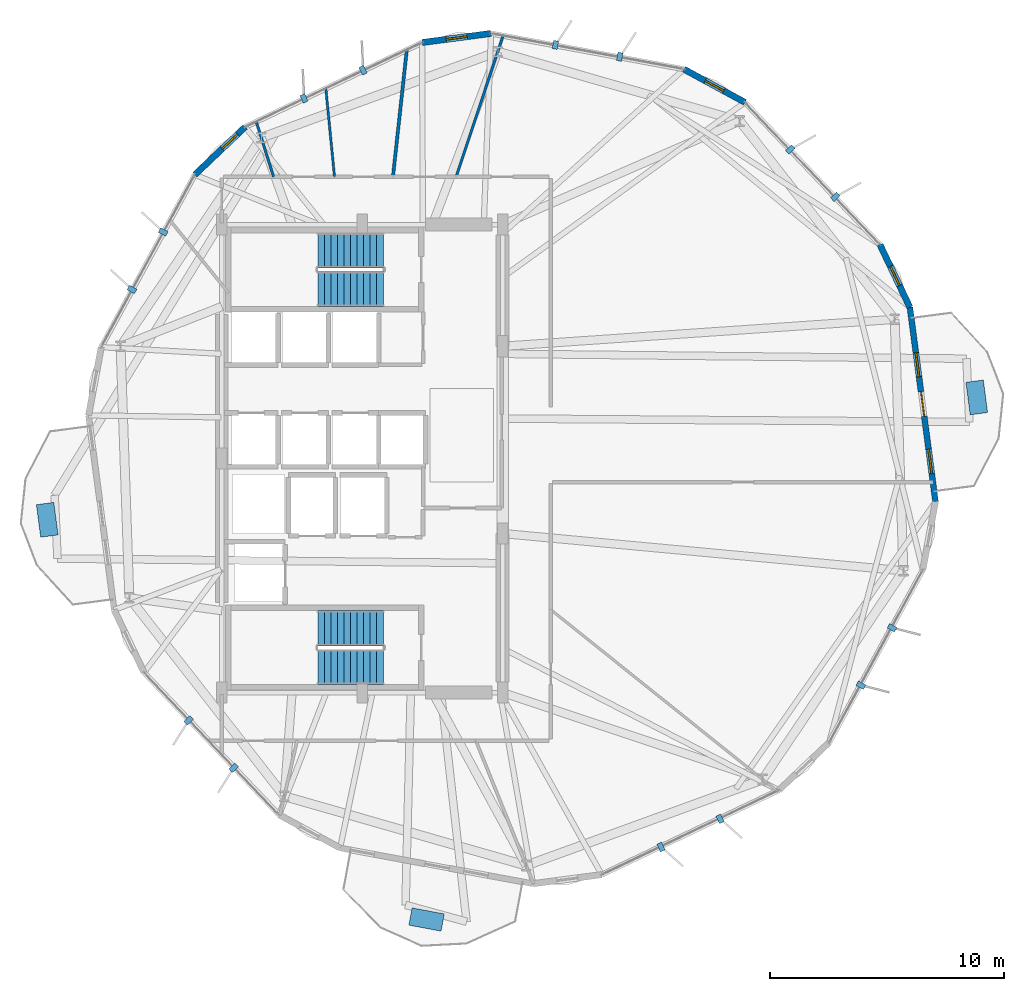
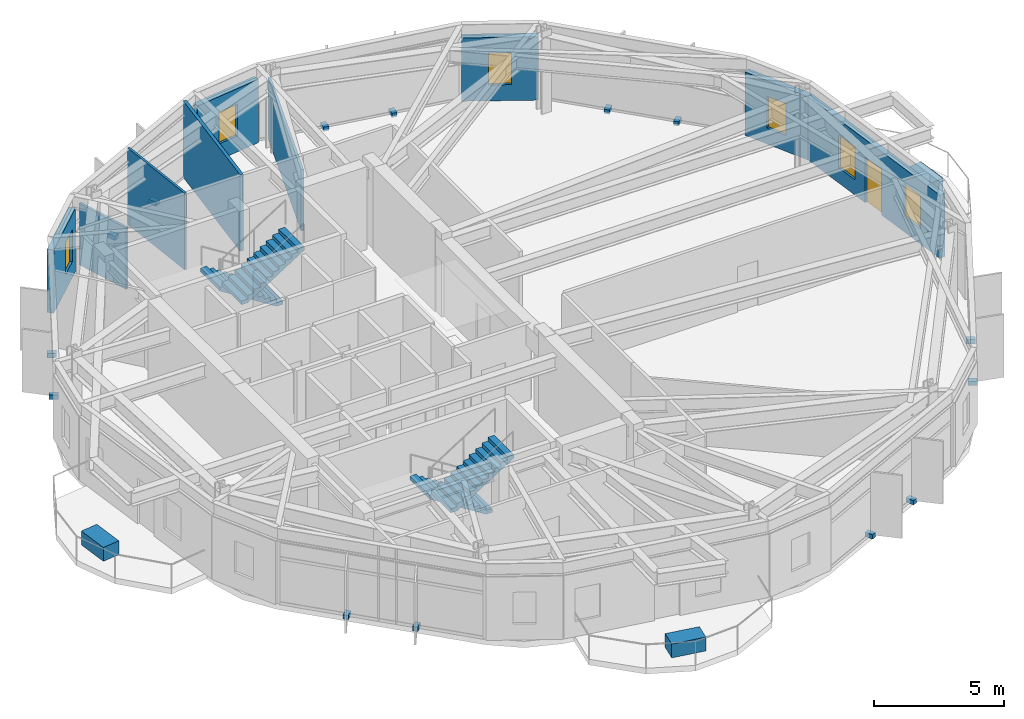
# One storey, part 22 of 25: 17 discrete accessories, 9 walls, 6 windows, 4 stair flights, 1 door, 7 openings, 2 elements without a shape of their own.
"""IFC4 building model written with IfcOpenShell, lengths in metres."""

from ifc_helpers import new_model, si_unit, direction, frame, frame_2d, origin, origin_2d, place, context, subcontext, project, spatial, polyline, rectangle, outline, extrude, material, layer, layer_set, type_object, element, fill, aggregate, save


model = new_model("IFC4")

# Units and contexts
model_context = context("Model", 3, precision=1e-05, world=origin(), true_north=direction((0.0, 1.0)))
body_context = subcontext(model_context, "Body", "Model", "MODEL_VIEW")
ifc_project = project(units=[si_unit("LENGTHUNIT", "METRE"), si_unit("AREAUNIT", "SQUARE_METRE"), si_unit("VOLUMEUNIT", "CUBIC_METRE"), si_unit("PLANEANGLEUNIT", "RADIAN"), si_unit("MASSUNIT", "GRAM", prefix="KILO")], contexts=[model_context])

# Site, building, storey
site_placement = place(None, origin())
site = spatial("IfcSite", under=ifc_project, at=site_placement, CompositionType="ELEMENT")
building_placement = place(site_placement, origin())
building = spatial("IfcBuilding", under=site, at=building_placement, Name="Soratama Intermodal Tower", CompositionType="ELEMENT")
storey_placement = place(building_placement, frame((0.0, 0.0, 126.39990234375)))
storey = spatial("IfcBuildingStorey", under=building, at=storey_placement, Name="L30", CompositionType="ELEMENT", Elevation=126.39990234375)

# Wall, openings, door, windows
ifc_material_1 = material(Name="Concrete f'c 42 MPa", Category="concrete")
ifc_layer_1 = layer(ifc_material_1, 0.25)
ifc_layer_set_1 = layer_set([ifc_layer_1], Name="Concrete f'c 42 MPa")
wall_type_1 = type_object("IfcWallType", Name="EW-BAL-250", PredefinedType="SOLIDWALL", material=ifc_layer_set_1)
wall_1_placement = place(storey_placement, frame((63.0966796875, 23.154541015625, 0.0), z_axis=(0.0, 0.0, 1.0), x_axis=(-0.130551689343, 0.99144150428, 0.0)))
wall_1 = element("IfcWall", 1, at=wall_1_placement, inside=storey, type_object=wall_type_1, Name="L30 Terrace Wall F10", PredefinedType="SOLIDWALL", context=body_context, shape_type="SweptSolid", body=[
    extrude(rectangle(XDim=8.383544921875, YDim=0.25, at=frame_2d((4.19189453125, 0.0))), origin(), (0.0, 0.0, 1.0), 2.97900390625),
])
opening_1_placement = place(wall_1_placement, frame((3.69189453125, 0.0, 0.0)))
opening_1 = element("IfcOpeningElement", 2, at=opening_1_placement, cuts=wall_1, Name="Opening ED-5", PredefinedType="OPENING", context=body_context, shape_type="SweptSolid", body=[
    extrude(rectangle(XDim=1.050048828125, YDim=2.14990234375, at=frame_2d((0.52490234375, 1.074951171875))), frame((0.0, 0.135009765625, 0.0), z_axis=(0.0, -1.0, 0.0), x_axis=(1.0, 0.0, 0.0)), (0.0, 0.0, 1.0), 0.27001953125),
])
opening_2_placement = place(wall_1_placement, frame((1.220947265625, 0.0, 0.719970703125)))
opening_2 = element("IfcOpeningElement", 3, at=opening_2_placement, cuts=wall_1, Name="Opening WN-5", PredefinedType="OPENING", context=body_context, shape_type="SweptSolid", body=[
    extrude(rectangle(XDim=1.050048828125, YDim=1.550048828125, at=frame_2d((0.52490234375, 0.77490234375))), frame((0.0, 0.135009765625, 0.0), z_axis=(0.0, -1.0, 0.0), x_axis=(1.0, 0.0, 0.0)), (0.0, 0.0, 1.0), 0.27001953125),
])
opening_3_placement = place(wall_1_placement, frame((5.3818359375, 0.0, 0.719970703125)))
opening_3 = element("IfcOpeningElement", 4, at=opening_3_placement, cuts=wall_1, Name="Opening WN-5", PredefinedType="OPENING", context=body_context, shape_type="SweptSolid", body=[
    extrude(rectangle(XDim=1.050048828125, YDim=1.550048828125, at=frame_2d((0.52490234375, 0.77490234375))), frame((0.0, 0.135009765625, 0.0), z_axis=(0.0, -1.0, 0.0), x_axis=(1.0, 0.0, 0.0)), (0.0, 0.0, 1.0), 0.27001953125),
])
ifc_material_2 = material(Name="Double-glazed aluminium door", Category="aluminium")
door_type = type_object("IfcDoorType", Name="DR-BAL-1050", OperationType="NOTDEFINED", PredefinedType="DOOR", material=ifc_material_2)
door_placement = place(opening_1_placement, origin())
door = element("IfcDoor", 5, at=door_placement, inside=storey, type_object=door_type, Name="L30 Balcony Door F10", OperationType="SINGLE_SWING_RIGHT", OverallHeight=2.14990234375, OverallWidth=1.050048828125, PredefinedType="DOOR", context=body_context, shape_type="SweptSolid", body=[
    extrude(rectangle(XDim=1.050048828125, YDim=2.14990234375, at=frame_2d((0.52490234375, 1.074951171875))), frame((0.0, 0.02490234375, 0.0), z_axis=(0.0, -1.0, 0.0), x_axis=(1.0, 0.0, 0.0)), (0.0, 0.0, 1.0), 0.050048828125),
])
fill(opening_1, door)
ifc_material_3 = material(Name="Double-glazed aluminium window", Category="aluminium")
window_type_1 = type_object("IfcWindowType", Name="WN-FAC-1050", PartitioningType="SINGLE_PANEL", PredefinedType="WINDOW", material=ifc_material_3)
window_1_placement = place(opening_2_placement, origin())
window_1 = element("IfcWindow", 6, at=window_1_placement, inside=storey, type_object=window_type_1, Name="L30 Window A F10", OverallHeight=1.550048828125, OverallWidth=1.050048828125, PartitioningType="SINGLE_PANEL", PredefinedType="WINDOW", context=body_context, shape_type="SweptSolid", body=[
    extrude(rectangle(XDim=1.050048828125, YDim=1.550048828125, at=frame_2d((0.52490234375, 0.77490234375))), frame((0.0, 0.030029296875, 0.0), z_axis=(0.0, -1.0, 0.0), x_axis=(1.0, 0.0, 0.0)), (0.0, 0.0, 1.0), 0.06005859375),
])
fill(opening_2, window_1)
window_2_placement = place(opening_3_placement, origin())
window_2 = element("IfcWindow", 7, at=window_2_placement, inside=storey, type_object=window_type_1, Name="L30 Window B F10", OverallHeight=1.550048828125, OverallWidth=1.050048828125, PartitioningType="SINGLE_PANEL", PredefinedType="WINDOW", context=body_context, shape_type="SweptSolid", body=[
    extrude(rectangle(XDim=1.050048828125, YDim=1.550048828125, at=frame_2d((0.52490234375, 0.77490234375))), frame((0.0, 0.030029296875, 0.0), z_axis=(0.0, -1.0, 0.0), x_axis=(1.0, 0.0, 0.0)), (0.0, 0.0, 1.0), 0.06005859375),
])
fill(opening_3, window_2)

# Wall, opening, window
ifc_material_4 = material(Name="Concrete f'c 42 MPa", Category="concrete")
ifc_layer_2 = layer(ifc_material_4, 0.27001953125)
ifc_layer_set_2 = layer_set([ifc_layer_2], Name="Concrete f'c 42 MPa")
wall_type_2 = type_object("IfcWallType", Name="EW-CRN-270", PredefinedType="SOLIDWALL", material=ifc_layer_set_2)
wall_2_placement = place(storey_placement, frame((54.954345703125, 40.22509765625, 0.0), z_axis=(0.0, 0.0, 1.0), x_axis=(-0.878806101886, 0.477179039028, 0.0)))
wall_2 = element("IfcWall", 8, at=wall_2_placement, inside=storey, type_object=wall_type_2, Name="L30 Corner Closure Wall 01", PredefinedType="SOLIDWALL", context=body_context, shape_type="SweptSolid", body=[
    extrude(rectangle(XDim=2.966552734375, YDim=0.27001953125, at=frame_2d((1.4833984375, 0.0))), origin(), (0.0, 0.0, 1.0), 2.97900390625),
])
opening_4_placement = place(wall_2_placement, frame((1.033203125, 0.0, 0.75)))
opening_4 = element("IfcOpeningElement", 9, at=opening_4_placement, cuts=wall_2, Name="Opening WN-6", PredefinedType="OPENING", context=body_context, shape_type="SweptSolid", body=[
    extrude(rectangle(XDim=0.89990234375, YDim=1.5, at=frame_2d((0.449951171875, 0.75))), frame((0.0, 0.14501953125, 0.0), z_axis=(0.0, -1.0, 0.0), x_axis=(1.0, 0.0, 0.0)), (0.0, 0.0, 1.0), 0.2900390625),
])
ifc_material_5 = material(Name="Double-glazed aluminium window", Category="aluminium")
window_type_2 = type_object("IfcWindowType", Name="WN-FAC-900", PartitioningType="SINGLE_PANEL", PredefinedType="WINDOW", material=ifc_material_5)
window_3_placement = place(opening_4_placement, origin())
window_3 = element("IfcWindow", 10, at=window_3_placement, inside=storey, type_object=window_type_2, Name="L30 Corner Window 01", OverallHeight=1.5, OverallWidth=0.89990234375, PartitioningType="SINGLE_PANEL", PredefinedType="WINDOW", context=body_context, shape_type="SweptSolid", body=[
    extrude(rectangle(XDim=0.89990234375, YDim=1.5, at=frame_2d((0.449951171875, 0.75))), frame((0.0, 0.030029296875, 0.0), z_axis=(0.0, -1.0, 0.0), x_axis=(1.0, 0.0, 0.0)), (0.0, 0.0, 1.0), 0.06005859375),
])
fill(opening_4, window_3)

wall_3_placement = place(storey_placement, frame((44.104248046875, 43.16845703125, 0.0), z_axis=(0.0, 0.0, 1.0), x_axis=(-0.991434395997, -0.130605660036, 0.0)))
wall_3 = element("IfcWall", 11, at=wall_3_placement, inside=storey, type_object=wall_type_2, Name="L30 Corner Closure Wall 02", PredefinedType="SOLIDWALL", context=body_context, shape_type="SweptSolid", body=[
    extrude(rectangle(XDim=2.966552734375, YDim=0.27001953125, at=frame_2d((1.4833984375, 0.0))), origin(), (0.0, 0.0, 1.0), 2.97900390625),
])
opening_5_placement = place(wall_3_placement, frame((1.033203125, 0.0, 0.75)))
opening_5 = element("IfcOpeningElement", 12, at=opening_5_placement, cuts=wall_3, Name="Opening WN-6", PredefinedType="OPENING", context=body_context, shape_type="SweptSolid", body=[
    extrude(rectangle(XDim=0.89990234375, YDim=1.5, at=frame_2d((0.449951171875, 0.75))), frame((0.0, 0.14501953125, 0.0), z_axis=(0.0, -1.0, 0.0), x_axis=(1.0, 0.0, 0.0)), (0.0, 0.0, 1.0), 0.2900390625),
])
window_4_placement = place(opening_5_placement, origin())
window_4 = element("IfcWindow", 13, at=window_4_placement, inside=storey, type_object=window_type_2, Name="L30 Corner Window 02", OverallHeight=1.5, OverallWidth=0.89990234375, PartitioningType="SINGLE_PANEL", PredefinedType="WINDOW", context=body_context, shape_type="SweptSolid", body=[
    extrude(rectangle(XDim=0.89990234375, YDim=1.5, at=frame_2d((0.449951171875, 0.75))), frame((0.0, 0.030029296875, 0.0), z_axis=(0.0, -1.0, 0.0), x_axis=(1.0, 0.0, 0.0)), (0.0, 0.0, 1.0), 0.06005859375),
])
fill(opening_5, window_4)

wall_4_placement = place(storey_placement, frame((33.59619140625, 39.172119140625, 0.0), z_axis=(0.0, 0.0, 1.0), x_axis=(-0.725340416539, -0.688390354476, 0.0)))
wall_4 = element("IfcWall", 14, at=wall_4_placement, inside=storey, type_object=wall_type_2, Name="L30 Corner Closure Wall 03", PredefinedType="SOLIDWALL", context=body_context, shape_type="SweptSolid", body=[
    extrude(rectangle(XDim=2.966796875, YDim=0.27001953125, at=frame_2d((1.4833984375, 0.0))), origin(), (0.0, 0.0, 1.0), 2.97900390625),
])
opening_6_placement = place(wall_4_placement, frame((0.449951171875, 0.0, 0.75)))
opening_6 = element("IfcOpeningElement", 15, at=opening_6_placement, cuts=wall_4, Name="Opening WN-6", PredefinedType="OPENING", context=body_context, shape_type="SweptSolid", body=[
    extrude(rectangle(XDim=0.89990234375, YDim=1.5, at=frame_2d((0.449951171875, 0.75))), frame((0.0, 0.14501953125, 0.0), z_axis=(0.0, -1.0, 0.0), x_axis=(1.0, 0.0, 0.0)), (0.0, 0.0, 1.0), 0.2900390625),
])
window_5_placement = place(opening_6_placement, origin())
window_5 = element("IfcWindow", 16, at=window_5_placement, inside=storey, type_object=window_type_2, Name="L30 Corner Window 03", OverallHeight=1.5, OverallWidth=0.89990234375, PartitioningType="SINGLE_PANEL", PredefinedType="WINDOW", context=body_context, shape_type="SweptSolid", body=[
    extrude(rectangle(XDim=0.89990234375, YDim=1.5, at=frame_2d((0.449951171875, 0.75))), frame((0.0, 0.030029296875, 0.0), z_axis=(0.0, -1.0, 0.0), x_axis=(1.0, 0.0, 0.0)), (0.0, 0.0, 1.0), 0.06005859375),
])
fill(opening_6, window_5)

wall_5_placement = place(storey_placement, frame((62.002197265625, 31.46630859375, 0.0), z_axis=(0.0, 0.0, 1.0), x_axis=(-0.430511722547, 0.902584985887, 0.0)))
wall_5 = element("IfcWall", 17, at=wall_5_placement, inside=storey, type_object=wall_type_2, Name="L30 Corner Closure Wall 10", PredefinedType="SOLIDWALL", context=body_context, shape_type="SweptSolid", body=[
    extrude(rectangle(XDim=2.966552734375, YDim=0.27001953125, at=frame_2d((1.4833984375, 0.0))), origin(), (0.0, 0.0, 1.0), 2.97900390625),
])
opening_7_placement = place(wall_5_placement, frame((1.033203125, 0.0, 0.75)))
opening_7 = element("IfcOpeningElement", 18, at=opening_7_placement, cuts=wall_5, Name="Opening WN-6", PredefinedType="OPENING", context=body_context, shape_type="SweptSolid", body=[
    extrude(rectangle(XDim=0.89990234375, YDim=1.5, at=frame_2d((0.449951171875, 0.75))), frame((0.0, 0.14501953125, 0.0), z_axis=(0.0, -1.0, 0.0), x_axis=(1.0, 0.0, 0.0)), (0.0, 0.0, 1.0), 0.2900390625),
])
window_6_placement = place(opening_7_placement, origin())
window_6 = element("IfcWindow", 19, at=window_6_placement, inside=storey, type_object=window_type_2, Name="L30 Corner Window 10", OverallHeight=1.5, OverallWidth=0.89990234375, PartitioningType="SINGLE_PANEL", PredefinedType="WINDOW", context=body_context, shape_type="SweptSolid", body=[
    extrude(rectangle(XDim=0.89990234375, YDim=1.5, at=frame_2d((0.449951171875, 0.75))), frame((0.0, 0.030029296875, 0.0), z_axis=(0.0, -1.0, 0.0), x_axis=(1.0, 0.0, 0.0)), (0.0, 0.0, 1.0), 0.06005859375),
])
fill(opening_7, window_6)

# Walls
ifc_material_6 = material(Name="Fire-rated gypsum stud partition", Category="concrete")
ifc_layer_3 = layer(ifc_material_6, 0.10009765625)
ifc_layer_set_3 = layer_set([ifc_layer_3], Name="Fire-rated gypsum stud partition")
wall_type_3 = type_object("IfcWallType", Name="IW-PART-S100", PredefinedType="PARTITIONING", material=ifc_layer_set_3)
wall_6_placement = place(storey_placement, frame((37.4150390625, 37.050048828125, 0.0), z_axis=(0.0, 0.0, 1.0), x_axis=(-0.09804116838, 0.995182359823, 0.0)))
element("IfcWall", 20, at=wall_6_placement, inside=storey, type_object=wall_type_3, Name="L30 Partition W-L30-TP012", PredefinedType="PARTITIONING", context=body_context, shape_type="SweptSolid", body=[
    extrude(rectangle(XDim=3.78515625, YDim=0.10009765625, at=frame_2d((1.892578125, 0.0))), origin(), (0.0, 0.0, 1.0), 3.60009765625),
])
ifc_material_7 = material(Name="Fire-rated gypsum stud partition", Category="concrete")
ifc_layer_4 = layer(ifc_material_7, 0.110107421875)
ifc_layer_set_4 = layer_set([ifc_layer_4], Name="Fire-rated gypsum stud partition")
wall_type_4 = type_object("IfcWallType", Name="IW-PART-S110", PredefinedType="PARTITIONING", material=ifc_layer_set_4)
wall_7_placement = place(storey_placement, frame((42.614013671875, 37.050048828125, 0.0), z_axis=(0.0, 0.0, 1.0), x_axis=(0.316147007212, 0.948710213833, 0.0)))
element("IfcWall", 21, at=wall_7_placement, inside=storey, type_object=wall_type_4, Name="L30 Partition W-L30-TP006", PredefinedType="PARTITIONING", context=body_context, shape_type="SweptSolid", body=[
    extrude(rectangle(XDim=6.3486328125, YDim=0.110107421875, at=frame_2d((3.17431640625, 0.0))), origin(), (0.0, 0.0, 1.0), 2.89501953125),
])
wall_8_placement = place(storey_placement, frame((34.81005859375, 37.050048828125, 0.0), z_axis=(0.0, 0.0, 1.0), x_axis=(-0.300120490278, 0.953901300615, 0.0)))
element("IfcWall", 22, at=wall_8_placement, inside=storey, type_object=wall_type_4, Name="L30 Partition W-L30-TP021", PredefinedType="PARTITIONING", context=body_context, shape_type="SweptSolid", body=[
    extrude(rectangle(XDim=2.46240234375, YDim=0.110107421875, at=frame_2d((1.231201171875, 0.0))), origin(), (0.0, 0.0, 1.0), 2.89501953125),
])
ifc_material_8 = material(Name="Fire-rated gypsum stud partition", Category="concrete")
ifc_layer_5 = layer(ifc_material_8, 0.139892578125)
ifc_layer_set_5 = layer_set([ifc_layer_5], Name="Fire-rated gypsum stud partition")
wall_type_5 = type_object("IfcWallType", Name="IW-PART-S140", PredefinedType="PARTITIONING", material=ifc_layer_set_5)
wall_9_placement = place(storey_placement, frame((39.9140625, 37.050048828125, 0.0), z_axis=(0.0, 0.0, 1.0), x_axis=(0.108424969243, 0.99410463536, 0.0)))
element("IfcWall", 23, at=wall_9_placement, inside=storey, type_object=wall_type_5, Name="L30 Partition W-L30-TP008", PredefinedType="PARTITIONING", context=body_context, shape_type="SweptSolid", body=[
    extrude(rectangle(XDim=5.44921875, YDim=0.139892578125, at=frame_2d((2.724609375, 0.0))), origin(), (0.0, 0.0, 1.0), 3.60009765625),
])

# Stair, stair flights
ifc_material_9 = material(Name="Concrete f'c 42 MPa", Category="concrete")
stair_type = type_object("IfcStairType", Name="ST-CORE-DOGLEG", PredefinedType="HALF_TURN_STAIR", material=ifc_material_9)
stair_1_placement = place(storey_placement, origin())
stair_1 = element("IfcStair", 24, at=stair_1_placement, inside=storey, type_object=stair_type, Name="L30 ST-1", PredefinedType="HALF_TURN_STAIR")
ifc_material_10 = material(Name="Precast concrete f'c 40 MPa", Category="concrete")
ifc_layer_6 = layer(ifc_material_10, 0.199951171875)
ifc_layer_set_6 = layer_set([ifc_layer_6], Name="Precast concrete f'c 40 MPa")
stair_flight_type = type_object("IfcStairFlightType", Name="SF-FLIGHT-RC", PredefinedType="STRAIGHT", material=ifc_layer_set_6)
stair_flight_1_placement = place(storey_placement, frame((39.5, 17.75, 0.0), z_axis=(0.0, 0.0, 1.0), x_axis=(-1.0, 0.0, 0.0)))
stair_flight_1 = element("IfcStairFlight", 25, at=stair_flight_1_placement, type_object=stair_flight_type, Name="ST-1 flight 1", NumberOfRisers=11, NumberOfTreads=10, PredefinedType="STRAIGHT", RiserHeight=0.177272727, TreadLength=0.28, context=body_context, shape_type="SweptSolid", body=[
    extrude(outline(polyline([(0.0, 0.0), (0.0, 0.17724609375), (0.280029296875, 0.17724609375), (0.280029296875, 0.3544921875), (0.56005859375, 0.3544921875), (0.56005859375, 0.53173828125), (0.840087890625, 0.53173828125), (0.840087890625, 0.708984375), (1.1201171875, 0.708984375), (1.1201171875, 0.886474609375), (1.39990234375, 0.886474609375), (1.39990234375, 1.063720703125), (1.679931640625, 1.063720703125), (1.679931640625, 1.240966796875), (1.9599609375, 1.240966796875), (1.9599609375, 1.418212890625), (2.239990234375, 1.418212890625), (2.239990234375, 1.595458984375), (2.52001953125, 1.595458984375), (2.52001953125, 1.772705078125), (2.800048828125, 1.772705078125), (2.800048828125, 1.949951171875), (2.800048828125, 1.59521484375), (0.2802734375, 0.0), (0.0, 0.0)])), frame((0.0, 0.75, 0.0), z_axis=(0.0, -1.0, 0.0), x_axis=(1.0, 0.0, 0.0)), (0.0, 0.0, 1.0), 1.5),
])
stair_flight_2_placement = place(storey_placement, frame((36.699951171875, 16.10009765625, 1.9501953125), z_axis=(0.0, 0.0, 1.0), x_axis=(1.0, 0.0, 0.0)))
stair_flight_2 = element("IfcStairFlight", 26, at=stair_flight_2_placement, type_object=stair_flight_type, Name="ST-1 flight 2", NumberOfRisers=11, NumberOfTreads=10, PredefinedType="STRAIGHT", RiserHeight=0.177272727, TreadLength=0.28, context=body_context, shape_type="SweptSolid", body=[
    extrude(outline(polyline([(0.0, 0.0), (0.0, 0.17724609375), (0.280029296875, 0.17724609375), (0.280029296875, 0.3544921875), (0.56005859375, 0.3544921875), (0.56005859375, 0.53173828125), (0.840087890625, 0.53173828125), (0.840087890625, 0.708984375), (1.1201171875, 0.708984375), (1.1201171875, 0.886474609375), (1.39990234375, 0.886474609375), (1.39990234375, 1.063720703125), (1.679931640625, 1.063720703125), (1.679931640625, 1.240966796875), (1.9599609375, 1.240966796875), (1.9599609375, 1.418212890625), (2.239990234375, 1.418212890625), (2.239990234375, 1.595458984375), (2.52001953125, 1.595458984375), (2.52001953125, 1.772705078125), (2.800048828125, 1.772705078125), (2.800048828125, 1.949951171875), (2.800048828125, 1.59521484375), (0.2802734375, 0.0), (0.0, 0.0)])), frame((0.0, 0.75, 0.0), z_axis=(0.0, -1.0, 0.0), x_axis=(1.0, 0.0, 0.0)), (0.0, 0.0, 1.0), 1.5),
])
aggregate(stair_1, [stair_flight_1, stair_flight_2])

stair_2_placement = place(storey_placement, origin())
stair_2 = element("IfcStair", 27, at=stair_2_placement, inside=storey, type_object=stair_type, Name="L30 ST-2", PredefinedType="HALF_TURN_STAIR")
stair_flight_3_placement = place(storey_placement, frame((39.5, 33.89990234375, 0.0), z_axis=(0.0, 0.0, 1.0), x_axis=(-1.0, 0.0, 0.0)))
stair_flight_3 = element("IfcStairFlight", 28, at=stair_flight_3_placement, type_object=stair_flight_type, Name="ST-2 flight 1", NumberOfRisers=11, NumberOfTreads=10, PredefinedType="STRAIGHT", RiserHeight=0.177272727, TreadLength=0.28, context=body_context, shape_type="SweptSolid", body=[
    extrude(outline(polyline([(0.0, 0.0), (0.0, 0.17724609375), (0.280029296875, 0.17724609375), (0.280029296875, 0.3544921875), (0.56005859375, 0.3544921875), (0.56005859375, 0.53173828125), (0.840087890625, 0.53173828125), (0.840087890625, 0.708984375), (1.1201171875, 0.708984375), (1.1201171875, 0.886474609375), (1.39990234375, 0.886474609375), (1.39990234375, 1.063720703125), (1.679931640625, 1.063720703125), (1.679931640625, 1.240966796875), (1.9599609375, 1.240966796875), (1.9599609375, 1.418212890625), (2.239990234375, 1.418212890625), (2.239990234375, 1.595458984375), (2.52001953125, 1.595458984375), (2.52001953125, 1.772705078125), (2.800048828125, 1.772705078125), (2.800048828125, 1.949951171875), (2.800048828125, 1.59521484375), (0.2802734375, 0.0), (0.0, 0.0)])), frame((0.0, 0.75, 0.0), z_axis=(0.0, -1.0, 0.0), x_axis=(1.0, 0.0, 0.0)), (0.0, 0.0, 1.0), 1.5),
])
stair_flight_4_placement = place(storey_placement, frame((36.699951171875, 32.25, 1.9501953125), z_axis=(0.0, 0.0, 1.0), x_axis=(1.0, 0.0, 0.0)))
stair_flight_4 = element("IfcStairFlight", 29, at=stair_flight_4_placement, type_object=stair_flight_type, Name="ST-2 flight 2", NumberOfRisers=11, NumberOfTreads=10, PredefinedType="STRAIGHT", RiserHeight=0.177272727, TreadLength=0.28, context=body_context, shape_type="SweptSolid", body=[
    extrude(outline(polyline([(0.0, 0.0), (0.0, 0.17724609375), (0.280029296875, 0.17724609375), (0.280029296875, 0.3544921875), (0.56005859375, 0.3544921875), (0.56005859375, 0.53173828125), (0.840087890625, 0.53173828125), (0.840087890625, 0.708984375), (1.1201171875, 0.708984375), (1.1201171875, 0.886474609375), (1.39990234375, 0.886474609375), (1.39990234375, 1.063720703125), (1.679931640625, 1.063720703125), (1.679931640625, 1.240966796875), (1.9599609375, 1.240966796875), (1.9599609375, 1.418212890625), (2.239990234375, 1.418212890625), (2.239990234375, 1.595458984375), (2.52001953125, 1.595458984375), (2.52001953125, 1.772705078125), (2.800048828125, 1.772705078125), (2.800048828125, 1.949951171875), (2.800048828125, 1.59521484375), (0.2802734375, 0.0), (0.0, 0.0)])), frame((0.0, 0.75, 0.0), z_axis=(0.0, -1.0, 0.0), x_axis=(1.0, 0.0, 0.0)), (0.0, 0.0, 1.0), 1.5),
])
aggregate(stair_2, [stair_flight_3, stair_flight_4])

# Discrete accessories
ifc_material_11 = material(Name="Structural steel ASTM A992 Grade 50", Category="steel")
discrete_accessory_type_1 = type_object("IfcDiscreteAccessoryType", Name="AC-FIN-BRACKET", PredefinedType="BRACKET", material=ifc_material_11)
for number, where, z_axis, x_axis, name in (
    (30, (58.816162109375, 36.184814453125, -0.080078125), (0.0, 0.0, 1.0), (0.725374371012, 0.688354575694, 0.0), "L30 Fin Bracket F01-1"),
    (31, (56.892578125, 38.2119140625, -0.080078125), (0.0, 0.0, 1.0), (0.725374371012, 0.688354575694, 0.0), "L30 Fin Bracket F01-2"),
    (32, (49.603271484375, 42.16943359375, -0.080078125), (0.0, 0.0, 1.0), (0.182235525492, 0.983254907564, 0.0), "L30 Fin Bracket F02-1"),
    (33, (46.85546875, 42.6787109375, -0.080078125), (0.0, 0.0, 1.0), (0.182235525492, 0.983254907564, 0.0), "L30 Fin Bracket F02-2"),
    (34, (38.632080078125, 41.59619140625, -0.080078125), (0.0, 0.0, 1.0), (-0.430511096808, 0.90258528435, 0.0), "L30 Fin Bracket F03-1"),
    (35, (36.10986328125, 40.39306640625, -0.080078125), (0.0, 0.0, 1.0), (-0.430511096808, 0.90258528435, 0.0), "L30 Fin Bracket F03-2"),
    (36, (30.09326171875, 34.68359375, -0.080078125), (0.0, 0.0, 1.0), (-0.878817112662, 0.47715876026, 0.0), "L30 Fin Bracket F04-1"),
    (37, (28.760009765625, 32.227783203125, -0.080078125), (0.0, 0.0, 1.0), (-0.878817112662, 0.47715876026, 0.0), "L30 Fin Bracket F04-2"),
    (38, (31.183837890625, 13.815185546875, -0.080078125), (0.0, 0.0, 1.0), (-0.725374371012, -0.688354575694, 0.0), "L30 Fin Bracket F06-1"),
    (39, (33.107421875, 11.7880859375, -0.080078125), (0.0, 0.0, 1.0), (-0.725374371012, -0.688354575694, 0.0), "L30 Fin Bracket F06-2"),
    (40, (51.367919921875, 8.40380859375, -0.080078125), (0.0, 0.0, 1.0), (0.430511096808, -0.90258528435, 0.0), "L30 Fin Bracket F08-1"),
    (41, (53.89013671875, 9.60693359375, -0.080078125), (0.0, 0.0, 1.0), (0.430511096808, -0.90258528435, 0.0), "L30 Fin Bracket F08-2"),
    (42, (59.90673828125, 15.31640625, -0.080078125), (0.0, 0.0, 1.0), (0.878817112662, -0.47715876026, 0.0), "L30 Fin Bracket F09-1"),
    (43, (61.239990234375, 17.772216796875, -0.080078125), (0.0, 0.0, 1.0), (0.878817112662, -0.47715876026, 0.0), "L30 Fin Bracket F09-2"),
):
    element("IfcDiscreteAccessory", number, at=place(storey_placement, frame(where, z_axis=z_axis, x_axis=x_axis)), inside=storey, type_object=discrete_accessory_type_1, Name=name, PredefinedType="BRACKET", context=body_context, shape_type="SweptSolid", body=[
        extrude(rectangle(XDim=0.360107421875, YDim=0.219970703125, at=origin_2d()), origin(), (0.0, 0.0, 1.0), 0.199951171875),
    ])
ifc_material_12 = material(Name="Precast concrete f'c 40 MPa", Category="concrete")
discrete_accessory_type_2 = type_object("IfcDiscreteAccessoryType", Name="AC-PLANTER-TREE", PredefinedType="USERDEFINED", material=ifc_material_12)
for number, where, z_axis, x_axis, name in (
    (44, (64.859619140625, 27.614501953125, 0.000244140625), (0.0, 0.0, 1.0), (0.991444861374, 0.13052619222, 0.0), "L30 Tree Planter 1"),
    (45, (25.140380859375, 22.385498046875, 0.000244140625), (0.0, 0.0, 1.0), (-0.991444861374, -0.13052619222, 0.0), "L30 Tree Planter 2"),
    (46, (41.349609375, 5.304443359375, 0.000244140625), (0.0, 0.0, 1.0), (-0.182235525492, -0.983254907564, 0.0), "L30 Tree Planter 3"),
):
    element("IfcDiscreteAccessory", number, at=place(storey_placement, frame(where, z_axis=z_axis, x_axis=x_axis)), inside=storey, type_object=discrete_accessory_type_2, Name=name, ObjectType="PLANTER", PredefinedType="USERDEFINED", context=body_context, shape_type="SweptSolid", body=[
        extrude(rectangle(XDim=0.75, YDim=1.39990234375, at=origin_2d()), origin(), (0.0, 0.0, 1.0), 0.64990234375),
    ])

save(model, "model.ifc")
